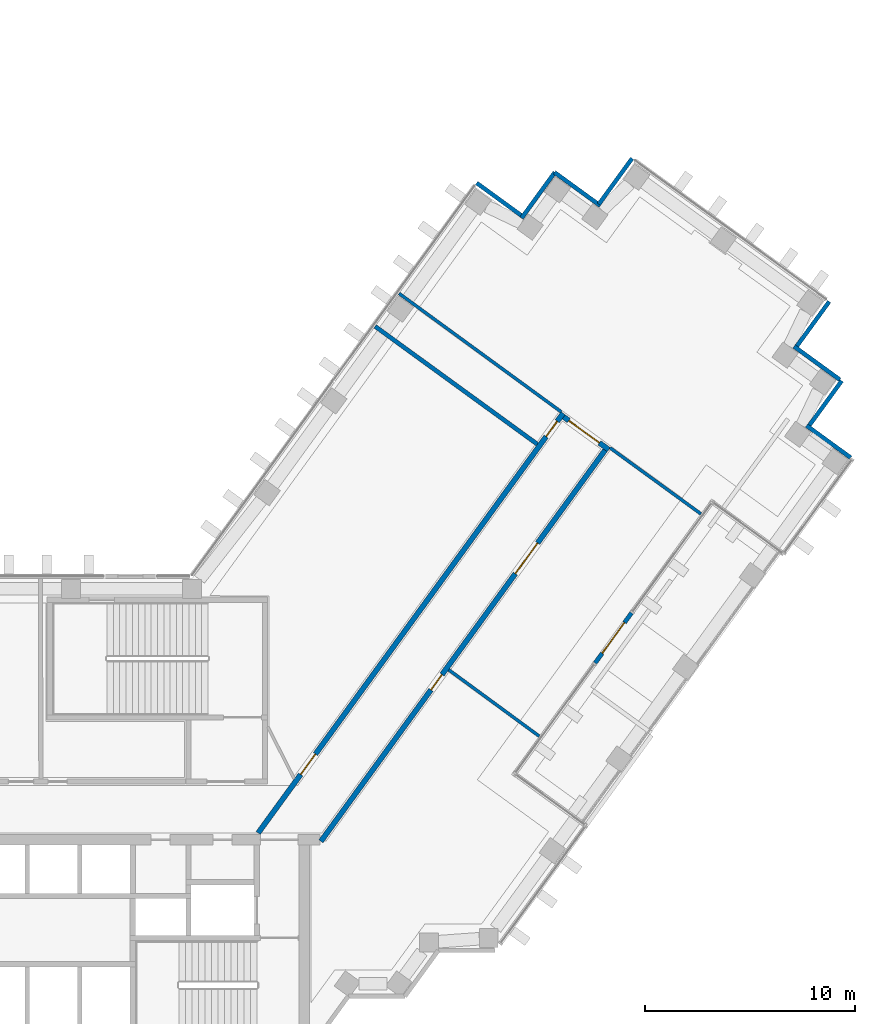
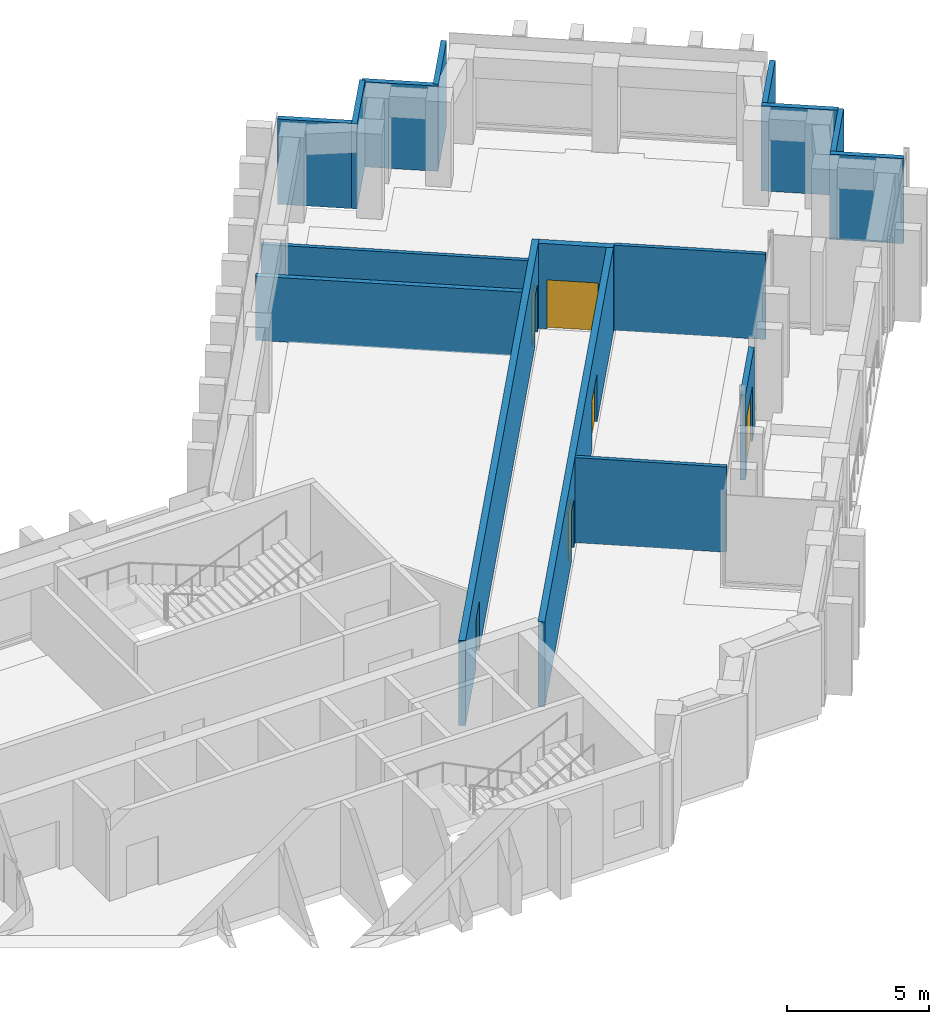
# One storey, part 11 of 15: 16 walls, 6 doors, 6 openings.
"""IFC4 building model written with IfcOpenShell, lengths in metres."""

from ifc_helpers import new_model, si_unit, direction, frame, frame_2d, origin, place, context, subcontext, project, spatial, rectangle, extrude, material, layer, layer_set, type_object, element, fill, save


model = new_model("IFC4")

# Units and contexts
model_context = context("Model", 3, precision=1e-05, world=origin(), true_north=direction((0.0, 1.0)))
body_context = subcontext(model_context, "Body", "Model", "MODEL_VIEW")
ifc_project = project(units=[si_unit("LENGTHUNIT", "METRE"), si_unit("AREAUNIT", "SQUARE_METRE"), si_unit("VOLUMEUNIT", "CUBIC_METRE"), si_unit("PLANEANGLEUNIT", "RADIAN"), si_unit("MASSUNIT", "GRAM", prefix="KILO")], contexts=[model_context])

# Site, building, storey
site_placement = place(None, origin())
site = spatial("IfcSite", under=ifc_project, at=site_placement, CompositionType="ELEMENT")
building_placement = place(site_placement, origin())
building = spatial("IfcBuilding", under=site, at=building_placement, Name="Quipu Civic Tower", CompositionType="ELEMENT")
storey_placement = place(building_placement, frame((0.0, 0.0, 97.0)))
storey = spatial("IfcBuildingStorey", under=building, at=storey_placement, Name="L22", CompositionType="ELEMENT", Elevation=97.0)

# Walls
ifc_material_1 = material(Name="Double gypsum plasterboard with mineral wool")
ifc_layer_1 = layer(ifc_material_1, 0.14990234375)
ifc_layer_set_1 = layer_set([ifc_layer_1], Name="Double gypsum plasterboard with mineral wool")
wall_type_1 = type_object("IfcWallType", Name="Acoustic partition 150 plasterboard", PredefinedType="PARTITIONING", material=ifc_layer_set_1)
wall_1_placement = place(storey_placement, frame((38.626220703125, 14.068115234375, 0.0), z_axis=(0.0, 0.0, 1.0), x_axis=(-0.808982692221, 0.587832462261, 0.0)))
element("IfcWall", 1, at=wall_1_placement, inside=storey, type_object=wall_type_1, Name="Partition P02", PredefinedType="PARTITIONING", context=body_context, shape_type="SweptSolid", body=[
    extrude(rectangle(XDim=5.349853515625, YDim=0.14990234375, at=frame_2d((2.6748046875, 0.0))), origin(), (0.0, 0.0, 1.0), 3.64990234375),
])
wall_2_placement = place(storey_placement, frame((26.618896484375, 6.643310546875, 0.0), z_axis=(0.0, 0.0, 1.0), x_axis=(0.806280213972, -0.591533783107, 0.0)))
element("IfcWall", 2, at=wall_2_placement, inside=storey, type_object=wall_type_1, Name="Partition P03", PredefinedType="PARTITIONING", context=body_context, shape_type="SweptSolid", body=[
    extrude(rectangle(XDim=5.35009765625, YDim=0.14990234375, at=frame_2d((2.675048828125, 0.0))), origin(), (0.0, 0.0, 1.0), 3.64990234375),
])
wall_3_placement = place(storey_placement, frame((24.25146484375, 24.56591796875, 0.0), z_axis=(0.0, 0.0, 1.0), x_axis=(0.807588329082, -0.589746632657, 0.0)))
element("IfcWall", 3, at=wall_3_placement, inside=storey, type_object=wall_type_1, Name="Partition P12", PredefinedType="PARTITIONING", context=body_context, shape_type="SweptSolid", body=[
    extrude(rectangle(XDim=9.56982421875, YDim=0.14990234375, at=frame_2d((4.784912109375, 0.0))), origin(), (0.0, 0.0, 1.0), 2.75),
])
ifc_material_2 = material(Name="Fired clay blockwork", Category="masonry")
ifc_layer_2 = layer(ifc_material_2, 0.199951171875)
ifc_layer_set_2 = layer_set([ifc_layer_2], Name="Fired clay blockwork")
wall_type_2 = type_object("IfcWallType", Name="Blockwork wall 200", PredefinedType="SOLIDWALL", material=ifc_layer_set_2)
wall_4_placement = place(storey_placement, frame((30.838134765625, 17.384765625, 0.0), z_axis=(0.0, 0.0, 1.0), x_axis=(-0.809043311713, 0.587749027879, 0.0)))
element("IfcWall", 4, at=wall_4_placement, inside=storey, type_object=wall_type_2, Name="Partition P01", PredefinedType="SOLIDWALL", context=body_context, shape_type="SweptSolid", body=[
    extrude(rectangle(XDim=9.549560546875, YDim=0.199951171875, at=frame_2d((4.77490234375, 0.0))), origin(), (0.0, 0.0, 1.0), 2.75),
])

# Wall, openings, doors
ifc_material_3 = material(Name="Concrete C50/60", Category="concrete")
ifc_layer_3 = layer(ifc_material_3, 0.25)
ifc_layer_set_3 = layer_set([ifc_layer_3], Name="Concrete C50/60")
wall_type_3 = type_object("IfcWallType", Name="Corridor wall 250 concrete", PredefinedType="SOLIDWALL", material=ifc_layer_set_3)
wall_5_placement = place(storey_placement, frame((17.544921875, -1.124755859375, 0.0), z_axis=(0.0, 0.0, 1.0), x_axis=(0.587791430994, 0.80901250525, 0.0)))
wall_5 = element("IfcWall", 5, at=wall_5_placement, inside=storey, type_object=wall_type_3, Name="Corridor wall C06", PredefinedType="SOLIDWALL", context=body_context, shape_type="SweptSolid", body=[
    extrude(rectangle(XDim=24.703125, YDim=0.25, at=frame_2d((12.3515625, 0.0))), origin(), (0.0, 0.0, 1.0), 3.64990234375),
])
opening_1_placement = place(wall_5_placement, frame((3.4423828125, 0.0, 0.0)))
opening_1 = element("IfcOpeningElement", 6, at=opening_1_placement, cuts=wall_5, Name="Opening D001", PredefinedType="OPENING", context=body_context, shape_type="SweptSolid", body=[
    extrude(rectangle(XDim=1.199951171875, YDim=2.10009765625, at=frame_2d((0.60009765625, 1.050048828125))), frame((0.0, 0.135009765625, 0.0), z_axis=(0.0, -1.0, 0.0), x_axis=(1.0, 0.0, 0.0)), (0.0, 0.0, 1.0), 0.27001953125),
])
opening_2_placement = place(wall_5_placement, frame((23.328857421875, 0.0, 0.0)))
opening_2 = element("IfcOpeningElement", 7, at=opening_2_placement, cuts=wall_5, Name="Opening D002", PredefinedType="OPENING", context=body_context, shape_type="SweptSolid", body=[
    extrude(rectangle(XDim=0.89990234375, YDim=2.10009765625, at=frame_2d((0.449951171875, 1.050048828125))), frame((0.0, 0.135009765625, 0.0), z_axis=(0.0, -1.0, 0.0), x_axis=(1.0, 0.0, 0.0)), (0.0, 0.0, 1.0), 0.27001953125),
])
ifc_material_4 = material(Name="Fire rated timber door set with metal frame", Category="wood")
door_type_1 = type_object("IfcDoorType", Name="Single door 1200 x 2100 FD60", OperationType="NOTDEFINED", PredefinedType="DOOR", material=ifc_material_4)
door_1_placement = place(opening_1_placement, origin())
door_1 = element("IfcDoor", 8, at=door_1_placement, inside=storey, type_object=door_type_1, Name="Door D001", OperationType="SINGLE_SWING_LEFT", OverallHeight=2.10009765625, OverallWidth=1.199951171875, PredefinedType="DOOR", context=body_context, shape_type="SweptSolid", body=[
    extrude(rectangle(XDim=1.199951171875, YDim=2.10009765625, at=frame_2d((0.60009765625, 1.050048828125))), frame((0.0, 0.02490234375, 0.0), z_axis=(0.0, -1.0, 0.0), x_axis=(1.0, 0.0, 0.0)), (0.0, 0.0, 1.0), 0.050048828125),
])
fill(opening_1, door_1)
ifc_material_5 = material(Name="Fire rated timber door set with metal frame", Category="wood")
door_type_2 = type_object("IfcDoorType", Name="Single door 900 x 2100 FD60", OperationType="NOTDEFINED", PredefinedType="DOOR", material=ifc_material_5)
door_2_placement = place(opening_2_placement, origin())
door_2 = element("IfcDoor", 9, at=door_2_placement, inside=storey, type_object=door_type_2, Name="Door D002", OperationType="SINGLE_SWING_RIGHT", OverallHeight=2.10009765625, OverallWidth=0.89990234375, PredefinedType="DOOR", context=body_context, shape_type="SweptSolid", body=[
    extrude(rectangle(XDim=0.89990234375, YDim=2.10009765625, at=frame_2d((0.449951171875, 1.050048828125))), frame((0.0, 0.02490234375, 0.0), z_axis=(0.0, -1.0, 0.0), x_axis=(1.0, 0.0, 0.0)), (0.0, 0.0, 1.0), 0.050048828125),
])
fill(opening_2, door_2)

# Wall, opening, door
wall_6_placement = place(storey_placement, frame((32.0927734375, 18.685791015625, 0.0), z_axis=(0.0, 0.0, 1.0), x_axis=(0.809006914995, -0.587799125119, 0.0)))
wall_6 = element("IfcWall", 10, at=wall_6_placement, inside=storey, type_object=wall_type_3, Name="Corridor wall C07", PredefinedType="SOLIDWALL", context=body_context, shape_type="SweptSolid", body=[
    extrude(rectangle(XDim=2.64990234375, YDim=0.25, at=frame_2d((1.324951171875, 0.0))), origin(), (0.0, 0.0, 1.0), 3.64990234375),
])
opening_3_placement = place(wall_6_placement, frame((0.2998046875, 0.0, 0.0)))
opening_3 = element("IfcOpeningElement", 11, at=opening_3_placement, cuts=wall_6, Name="Opening D005", PredefinedType="OPENING", context=body_context, shape_type="SweptSolid", body=[
    extrude(rectangle(XDim=1.800048828125, YDim=2.10009765625, at=frame_2d((0.89990234375, 1.050048828125))), frame((0.0, 0.135009765625, 0.0), z_axis=(0.0, -1.0, 0.0), x_axis=(1.0, 0.0, 0.0)), (0.0, 0.0, 1.0), 0.27001953125),
])
ifc_material_6 = material(Name="Fire rated timber door set with metal frame", Category="wood")
door_type_3 = type_object("IfcDoorType", Name="Double door 1800 x 2100 FD60", OperationType="DOUBLE_DOOR_SINGLE_SWING", PredefinedType="DOOR", material=ifc_material_6)
door_3_placement = place(opening_3_placement, origin())
door_3 = element("IfcDoor", 12, at=door_3_placement, inside=storey, type_object=door_type_3, Name="Door D005", OperationType="DOUBLE_DOOR_SINGLE_SWING", OverallHeight=2.10009765625, OverallWidth=1.800048828125, PredefinedType="DOOR", context=body_context, shape_type="SweptSolid", body=[
    extrude(rectangle(XDim=1.800048828125, YDim=2.10009765625, at=frame_2d((0.89990234375, 1.050048828125))), frame((0.0, 0.02490234375, 0.0), z_axis=(0.0, -1.0, 0.0), x_axis=(1.0, 0.0, 0.0)), (0.0, 0.0, 1.0), 0.050048828125),
])
fill(opening_3, door_3)

# Wall, openings, doors
wall_7_placement = place(storey_placement, frame((34.06201171875, 17.1005859375, 0.0), z_axis=(0.0, 0.0, 1.0), x_axis=(-0.58778129431, -0.809019870003, 0.0)))
wall_7 = element("IfcWall", 13, at=wall_7_placement, inside=storey, type_object=wall_type_3, Name="Corridor wall C08", PredefinedType="SOLIDWALL", context=body_context, shape_type="SweptSolid", body=[
    extrude(rectangle(XDim=23.0205078125, YDim=0.25, at=frame_2d((11.51025390625, 0.0))), origin(), (0.0, 0.0, 1.0), 3.64990234375),
])
opening_4_placement = place(wall_7_placement, frame((5.464599609375, 0.0, 0.0)))
opening_4 = element("IfcOpeningElement", 14, at=opening_4_placement, cuts=wall_7, Name="Opening D004", PredefinedType="OPENING", context=body_context, shape_type="SweptSolid", body=[
    extrude(rectangle(XDim=1.800048828125, YDim=2.10009765625, at=frame_2d((0.89990234375, 1.050048828125))), frame((0.0, 0.135009765625, 0.0), z_axis=(0.0, -1.0, 0.0), x_axis=(1.0, 0.0, 0.0)), (0.0, 0.0, 1.0), 0.27001953125),
])
opening_5_placement = place(wall_7_placement, frame((13.204833984375, 0.0, 0.0)))
opening_5 = element("IfcOpeningElement", 15, at=opening_5_placement, cuts=wall_7, Name="Opening D003", PredefinedType="OPENING", context=body_context, shape_type="SweptSolid", body=[
    extrude(rectangle(XDim=0.89990234375, YDim=2.10009765625, at=frame_2d((0.449951171875, 1.050048828125))), frame((0.0, 0.135009765625, 0.0), z_axis=(0.0, -1.0, 0.0), x_axis=(1.0, 0.0, 0.0)), (0.0, 0.0, 1.0), 0.27001953125),
])
door_4_placement = place(opening_4_placement, origin())
door_4 = element("IfcDoor", 16, at=door_4_placement, inside=storey, type_object=door_type_3, Name="Door D004", OperationType="DOUBLE_DOOR_SINGLE_SWING", OverallHeight=2.10009765625, OverallWidth=1.800048828125, PredefinedType="DOOR", context=body_context, shape_type="SweptSolid", body=[
    extrude(rectangle(XDim=1.800048828125, YDim=2.10009765625, at=frame_2d((0.89990234375, 1.050048828125))), frame((0.0, 0.02490234375, 0.0), z_axis=(0.0, -1.0, 0.0), x_axis=(1.0, 0.0, 0.0)), (0.0, 0.0, 1.0), 0.050048828125),
])
fill(opening_4, door_4)
door_5_placement = place(opening_5_placement, origin())
door_5 = element("IfcDoor", 17, at=door_5_placement, inside=storey, type_object=door_type_2, Name="Door D003", OperationType="SINGLE_SWING_LEFT", OverallHeight=2.10009765625, OverallWidth=0.89990234375, PredefinedType="DOOR", context=body_context, shape_type="SweptSolid", body=[
    extrude(rectangle(XDim=0.89990234375, YDim=2.10009765625, at=frame_2d((0.449951171875, 1.050048828125))), frame((0.0, 0.02490234375, 0.0), z_axis=(0.0, -1.0, 0.0), x_axis=(1.0, 0.0, 0.0)), (0.0, 0.0, 1.0), 0.050048828125),
])
fill(opening_5, door_5)

# Walls
ifc_material_7 = material(Name="Precast concrete C40/50", Category="concrete")
wall_type_4 = type_object("IfcWallType", Name="Precast cladding wall", PredefinedType="SOLIDWALL", material=ifc_material_7)
wall_8_placement = place(storey_placement, frame((45.761474609375, 16.743408203125, 0.0), z_axis=(0.0, 0.0, 1.0), x_axis=(-0.808979656733, 0.587836639716, 0.0)))
element("IfcWall", 18, at=wall_8_placement, inside=storey, type_object=wall_type_4, Name="Precast cladding wall L22 P01", PredefinedType="SOLIDWALL", context=body_context, shape_type="SweptSolid", body=[
    extrude(rectangle(XDim=2.599853515625, YDim=0.199951171875, at=frame_2d((1.2998046875, 0.0))), origin(), (0.0, 0.0, 1.0), 3.64990234375),
])
for number, where, z_axis, x_axis, name in (
    (19, (43.74609375, 18.22265625, 0.0), (0.0, 0.0, 1.0), (0.587762999008, 0.809033161865, 0.0), "Precast cladding wall L22 P02"),
    (20, (45.2451171875, 20.4560546875, 0.0), (0.0, 0.0, 1.0), (-0.809033161865, 0.587762999008, 0.0), "Precast cladding wall L22 P03"),
    (21, (43.148681640625, 21.993896484375, 0.0), (0.0, 0.0, 1.0), (0.587822180636, 0.808990163075, 0.0), "Precast cladding wall L22 30"),
    (22, (35.351318359375, 30.99658203125, 0.0), (0.0, 0.0, 1.0), (-0.587822180636, -0.808990163075, 0.0), "Precast cladding wall L22 32"),
    (23, (33.837890625, 28.743896484375, 0.0), (0.0, 0.0, 1.0), (-0.809033161865, 0.587762999008, 0.0), "Precast cladding wall L22 33"),
    (24, (31.67041015625, 30.33349609375, 0.0), (0.0, 0.0, 1.0), (-0.587762999008, -0.809033161865, 0.0), "Precast cladding wall L22 34"),
    (25, (30.132568359375, 28.237060546875, 0.0), (0.0, 0.0, 1.0), (-0.808990163075, 0.587822180636, 0.0), "Precast cladding wall L22 35"),
):
    element("IfcWall", number, at=place(storey_placement, frame(where, z_axis=z_axis, x_axis=x_axis)), inside=storey, type_object=wall_type_4, Name=name, PredefinedType="SOLIDWALL", context=body_context, shape_type="SweptSolid", body=[
        extrude(rectangle(XDim=2.699951171875, YDim=0.199951171875, at=frame_2d((1.35009765625, 0.0))), origin(), (0.0, 0.0, 1.0), 3.64990234375),
    ])

# Wall, opening, door
ifc_material_8 = material(Name="Precast concrete C40/50", Category="concrete")
wall_type_5 = type_object("IfcWallType", Name="Precast door surround", PredefinedType="SOLIDWALL", material=ifc_material_8)
wall_9_placement = place(storey_placement, frame((35.328369140625, 9.35888671875, 0.0), z_axis=(0.0, 0.0, 1.0), x_axis=(-0.587774760134, -0.809024617271, 0.0)))
wall_9 = element("IfcWall", 26, at=wall_9_placement, inside=storey, type_object=wall_type_5, Name="Door surround ED-L22-1", PredefinedType="SOLIDWALL", context=body_context, shape_type="SweptSolid", body=[
    extrude(rectangle(XDim=2.962890625, YDim=0.199951171875, at=frame_2d((1.4814453125, 0.0))), origin(), (0.0, 0.0, 1.0), 3.64990234375),
])
opening_6_placement = place(wall_9_placement, frame((0.58154296875, 0.0, 0.0)))
opening_6 = element("IfcOpeningElement", 27, at=opening_6_placement, cuts=wall_9, Name="Opening ED-L22-1", PredefinedType="OPENING", context=body_context, shape_type="SweptSolid", body=[
    extrude(rectangle(XDim=1.800048828125, YDim=2.39990234375, at=frame_2d((0.89990234375, 1.199951171875))), frame((0.0, 0.10986328125, 0.0), z_axis=(0.0, -1.0, 0.0), x_axis=(1.0, 0.0, 0.0)), (0.0, 0.0, 1.0), 0.219970703125),
])
ifc_material_9 = material(Name="Aluminium framed glazed door", Category="aluminium")
door_type_4 = type_object("IfcDoorType", Name="Terrace door E3", OperationType="DOUBLE_DOOR_SINGLE_SWING", PredefinedType="DOOR", material=ifc_material_9)
door_6_placement = place(opening_6_placement, origin())
door_6 = element("IfcDoor", 28, at=door_6_placement, inside=storey, type_object=door_type_4, Name="E3 door ED-L22-1", OperationType="DOUBLE_DOOR_SINGLE_SWING", OverallHeight=2.39990234375, OverallWidth=1.800048828125, PredefinedType="DOOR", context=body_context, shape_type="SweptSolid", body=[
    extrude(rectangle(XDim=1.800048828125, YDim=2.39990234375, at=frame_2d((0.89990234375, 1.199951171875))), frame((0.0, 0.02490234375, 0.0), z_axis=(0.0, -1.0, 0.0), x_axis=(1.0, 0.0, 0.0)), (0.0, 0.0, 1.0), 0.050048828125),
])
fill(opening_6, door_6)

save(model, "model.ifc")
